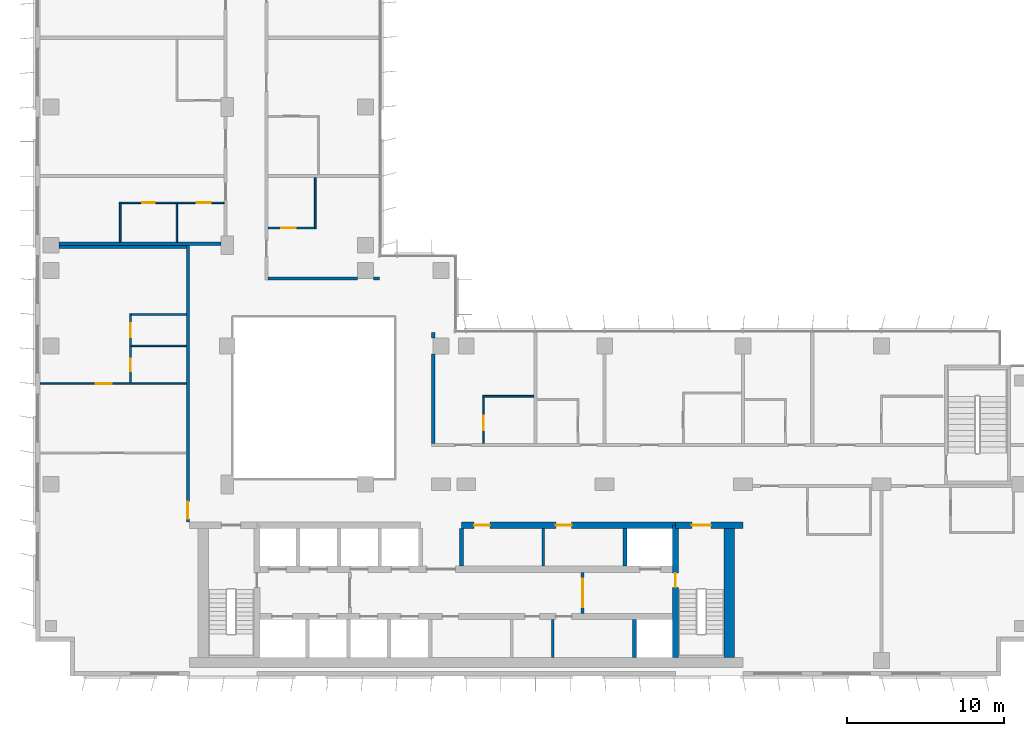
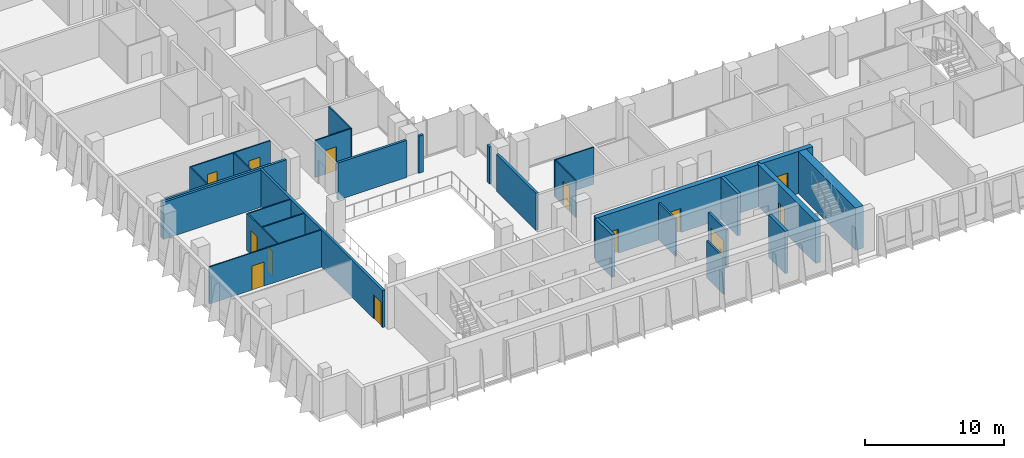
# One storey, part 13 of 20: 28 walls, 13 doors, 13 openings.
"""IFC4 building model written with IfcOpenShell, lengths in metres."""

from ifc_helpers import new_model, si_unit, direction, frame, frame_2d, origin, place, context, subcontext, project, spatial, rectangle, extrude, material, layer, layer_set, type_object, element, fill, save


model = new_model("IFC4")

# Units and contexts
model_context = context("Model", 3, precision=1e-05, world=origin(), true_north=direction((0.0, 1.0)))
body_context = subcontext(model_context, "Body", "Model", "MODEL_VIEW")
ifc_project = project(units=[si_unit("LENGTHUNIT", "METRE"), si_unit("AREAUNIT", "SQUARE_METRE"), si_unit("VOLUMEUNIT", "CUBIC_METRE"), si_unit("PLANEANGLEUNIT", "RADIAN"), si_unit("MASSUNIT", "GRAM", prefix="KILO")], contexts=[model_context])

# Site, building, storey
site_placement = place(None, origin())
site = spatial("IfcSite", under=ifc_project, at=site_placement, CompositionType="ELEMENT")
building_placement = place(site_placement, origin())
building = spatial("IfcBuilding", under=site, at=building_placement, Name="Kemantara Hotel Tower", CompositionType="ELEMENT")
storey_placement = place(building_placement, frame((0.0, 0.0, 190.10009765625)))
storey = spatial("IfcBuildingStorey", under=building, at=storey_placement, Name="L47", CompositionType="ELEMENT", Elevation=190.10009765625)

# Walls
ifc_material_1 = material(Name="Concrete fc 60 MPa", Category="concrete")
ifc_layer_1 = layer(ifc_material_1, 0.25)
ifc_layer_set_1 = layer_set([ifc_layer_1], Name="Concrete fc 60 MPa")
wall_type_1 = type_object("IfcWallType", Name="CORE WALL 250 FC60", PredefinedType="SHEAR", material=ifc_layer_set_1)
wall_1_placement = place(storey_placement, frame((38.10009765625, 1.199951171875, 0.0), z_axis=(0.0, 0.0, 1.0), x_axis=(0.0, 1.0, 0.0)))
element("IfcWall", 1, at=wall_1_placement, inside=storey, type_object=wall_type_1, Name="CORE WALL CW-DS38.1", PredefinedType="SHEAR", context=body_context, shape_type="SweptSolid", body=[
    extrude(rectangle(XDim=2.400146484375, YDim=0.25, at=frame_2d((1.2001953125, 0.0))), origin(), (0.0, 0.0, 1.0), 3.699951171875),
])
for number, where, z_axis, x_axis, name in (
    (2, (27.10009765625, 7.0, 0.0), (0.0, 0.0, 1.0), (0.0, 1.0, 0.0), "CORE WALL CW-DN27.1"),
    (3, (37.5, 7.0, 0.0), (0.0, 0.0, 1.0), (0.0, 1.0, 0.0), "CORE WALL CW-DN37.5"),
):
    element("IfcWall", number, at=place(storey_placement, frame(where, z_axis=z_axis, x_axis=x_axis)), inside=storey, type_object=wall_type_1, Name=name, PredefinedType="SHEAR", context=body_context, shape_type="SweptSolid", body=[
        extrude(rectangle(XDim=2.39990234375, YDim=0.25, at=frame_2d((1.199951171875, 0.0))), origin(), (0.0, 0.0, 1.0), 3.699951171875),
    ])

# Wall, opening, door
ifc_layer_2 = layer(ifc_material_1, 0.39990234375)
ifc_layer_set_2 = layer_set([ifc_layer_2], Name="Concrete fc 60 MPa")
wall_type_2 = type_object("IfcWallType", Name="CORE WALL 400 FC60", PredefinedType="SHEAR", material=ifc_layer_set_2)
wall_2_placement = place(storey_placement, frame((40.699951171875, 9.60009765625, 0.0), z_axis=(0.0, 0.0, 1.0), x_axis=(1.0, 0.0, 0.0)))
wall_2 = element("IfcWall", 4, at=wall_2_placement, inside=storey, type_object=wall_type_2, Name="CORE WALL CW-N2", PredefinedType="SHEAR", context=body_context, shape_type="SweptSolid", body=[
    extrude(rectangle(XDim=4.300048828125, YDim=0.39990234375, at=frame_2d((2.14990234375, 0.0))), origin(), (0.0, 0.0, 1.0), 3.699951171875),
])
opening_1_placement = place(wall_2_placement, frame((1.050048828125, 0.0, 0.0)))
opening_1 = element("IfcOpeningElement", 5, at=opening_1_placement, cuts=wall_2, Name="Opening C28-ST2-C", PredefinedType="OPENING", context=body_context, shape_type="SweptSolid", body=[
    extrude(rectangle(XDim=1.199951171875, YDim=2.10009765625, at=frame_2d((0.60009765625, 1.050048828125))), frame((0.0, 0.2099609375, 0.0), z_axis=(0.0, -1.0, 0.0), x_axis=(1.0, 0.0, 0.0)), (0.0, 0.0, 1.0), 0.419921875),
])
ifc_material_2 = material(Name="Steel fire door", Category="steel")
door_type_1 = type_object("IfcDoorType", Name="Fire door FD90 1200 x 2100", OperationType="NOTDEFINED", PredefinedType="DOOR", material=ifc_material_2)
door_1_placement = place(opening_1_placement, frame((1.199951171875, 0.0, 0.0), z_axis=(0.0, 0.0, 1.0), x_axis=(-1.0, 0.0, 0.0)))
door_1 = element("IfcDoor", 6, at=door_1_placement, inside=storey, type_object=door_type_1, Name="Stair ST2 door to corridor", OperationType="SINGLE_SWING_RIGHT", OverallHeight=2.10009765625, OverallWidth=1.199951171875, PredefinedType="DOOR", context=body_context, shape_type="SweptSolid", body=[
    extrude(rectangle(XDim=1.199951171875, YDim=2.10009765625, at=frame_2d((0.60009765625, 1.050048828125))), frame((0.0, 0.02490234375, 0.0), z_axis=(0.0, -1.0, 0.0), x_axis=(1.0, 0.0, 0.0)), (0.0, 0.0, 1.0), 0.050048828125),
])
fill(opening_1, door_1)

# Wall, openings, doors
wall_3_placement = place(storey_placement, frame((27.10009765625, 9.60009765625, 0.0), z_axis=(0.0, 0.0, 1.0), x_axis=(1.0, 0.0, 0.0)))
wall_3 = element("IfcWall", 7, at=wall_3_placement, inside=storey, type_object=wall_type_2, Name="CORE WALL CW-NN2", PredefinedType="SHEAR", context=body_context, shape_type="SweptSolid", body=[
    extrude(rectangle(XDim=13.599853515625, YDim=0.39990234375, at=frame_2d((6.7998046875, 0.0))), origin(), (0.0, 0.0, 1.0), 3.699951171875),
])
opening_2_placement = place(wall_3_placement, frame((0.800048828125, 0.0, 0.0)))
opening_2 = element("IfcOpeningElement", 8, at=opening_2_placement, cuts=wall_3, Name="Opening C28-R-NE1", PredefinedType="OPENING", context=body_context, shape_type="SweptSolid", body=[
    extrude(rectangle(XDim=1.0, YDim=2.10009765625, at=frame_2d((0.5, 1.050048828125))), frame((0.0, 0.2099609375, 0.0), z_axis=(0.0, -1.0, 0.0), x_axis=(1.0, 0.0, 0.0)), (0.0, 0.0, 1.0), 0.419921875),
])
opening_3_placement = place(wall_3_placement, frame((6.0, 0.0, 0.0)))
opening_3 = element("IfcOpeningElement", 9, at=opening_3_placement, cuts=wall_3, Name="Opening C28-R-NE2", PredefinedType="OPENING", context=body_context, shape_type="SweptSolid", body=[
    extrude(rectangle(XDim=1.0, YDim=2.10009765625, at=frame_2d((0.5, 1.050048828125))), frame((0.0, 0.2099609375, 0.0), z_axis=(0.0, -1.0, 0.0), x_axis=(1.0, 0.0, 0.0)), (0.0, 0.0, 1.0), 0.419921875),
])
door_type_2 = type_object("IfcDoorType", Name="Fire door FD30S 1000 x 2100", OperationType="NOTDEFINED", PredefinedType="DOOR", material=ifc_material_2)
door_2_placement = place(opening_2_placement, frame((1.0, 0.0, 0.0), z_axis=(0.0, 0.0, 1.0), x_axis=(-1.0, 0.0, 0.0)))
door_2 = element("IfcDoor", 10, at=door_2_placement, inside=storey, type_object=door_type_2, Name="Linen Store door", OperationType="SINGLE_SWING_RIGHT", OverallHeight=2.10009765625, OverallWidth=1.0, PredefinedType="DOOR", context=body_context, shape_type="SweptSolid", body=[
    extrude(rectangle(XDim=1.0, YDim=2.10009765625, at=frame_2d((0.5, 1.050048828125))), frame((0.0, 0.02490234375, 0.0), z_axis=(0.0, -1.0, 0.0), x_axis=(1.0, 0.0, 0.0)), (0.0, 0.0, 1.0), 0.050048828125),
])
fill(opening_2, door_2)
door_3_placement = place(opening_3_placement, frame((1.0, 0.0, 0.0), z_axis=(0.0, 0.0, 1.0), x_axis=(-1.0, 0.0, 0.0)))
door_3 = element("IfcDoor", 11, at=door_3_placement, inside=storey, type_object=door_type_2, Name="Ice And Vending Room door", OperationType="SINGLE_SWING_RIGHT", OverallHeight=2.10009765625, OverallWidth=1.0, PredefinedType="DOOR", context=body_context, shape_type="SweptSolid", body=[
    extrude(rectangle(XDim=1.0, YDim=2.10009765625, at=frame_2d((0.5, 1.050048828125))), frame((0.0, 0.02490234375, 0.0), z_axis=(0.0, -1.0, 0.0), x_axis=(1.0, 0.0, 0.0)), (0.0, 0.0, 1.0), 0.050048828125),
])
fill(opening_3, door_3)

# Wall, opening, door
wall_4_placement = place(storey_placement, frame((40.699951171875, 1.199951171875, 0.0), z_axis=(0.0, 0.0, 1.0), x_axis=(0.0, 1.0, 0.0)))
wall_4 = element("IfcWall", 12, at=wall_4_placement, inside=storey, type_object=wall_type_2, Name="CORE WALL CW-ST2W", PredefinedType="SHEAR", context=body_context, shape_type="SweptSolid", body=[
    extrude(rectangle(XDim=8.400146484375, YDim=0.39990234375, at=frame_2d((4.2001953125, 0.0))), origin(), (0.0, 0.0, 1.0), 3.699951171875),
])
opening_4_placement = place(wall_4_placement, frame((4.449951171875, 0.0, 0.0)))
opening_4 = element("IfcOpeningElement", 13, at=opening_4_placement, cuts=wall_4, Name="Opening C28-ST2-F", PredefinedType="OPENING", context=body_context, shape_type="SweptSolid", body=[
    extrude(rectangle(XDim=0.89990234375, YDim=2.10009765625, at=frame_2d((0.449951171875, 1.050048828125))), frame((0.0, 0.2099609375, 0.0), z_axis=(0.0, -1.0, 0.0), x_axis=(1.0, 0.0, 0.0)), (0.0, 0.0, 1.0), 0.419921875),
])
door_type_3 = type_object("IfcDoorType", Name="Fire door FD90 900 x 2100", OperationType="NOTDEFINED", PredefinedType="DOOR", material=ifc_material_2)
door_4_placement = place(opening_4_placement, frame((0.89990234375, 0.0, 0.0), z_axis=(0.0, 0.0, 1.0), x_axis=(-1.0, 0.0, 0.0)))
door_4 = element("IfcDoor", 14, at=door_4_placement, inside=storey, type_object=door_type_3, Name="Stair ST2 door to firefighting lobby", OperationType="SINGLE_SWING_LEFT", OverallHeight=2.10009765625, OverallWidth=0.89990234375, PredefinedType="DOOR", context=body_context, shape_type="SweptSolid", body=[
    extrude(rectangle(XDim=0.89990234375, YDim=2.10009765625, at=frame_2d((0.449951171875, 1.050048828125))), frame((0.0, 0.02490234375, 0.0), z_axis=(0.0, -1.0, 0.0), x_axis=(1.0, 0.0, 0.0)), (0.0, 0.0, 1.0), 0.050048828125),
])
fill(opening_4, door_4)

# Wall
ifc_layer_3 = layer(ifc_material_1, 0.64990234375)
ifc_layer_set_3 = layer_set([ifc_layer_3], Name="Concrete fc 60 MPa")
wall_type_3 = type_object("IfcWallType", Name="CORE WALL 650 FC60", PredefinedType="SHEAR", material=ifc_layer_set_3)
wall_5_placement = place(storey_placement, frame((44.125, 1.199951171875, 0.0), z_axis=(0.0, 0.0, 1.0), x_axis=(0.0, 1.0, 0.0)))
element("IfcWall", 15, at=wall_5_placement, inside=storey, type_object=wall_type_3, Name="CORE WALL CW-E", PredefinedType="SHEAR", context=body_context, shape_type="SweptSolid", body=[
    extrude(rectangle(XDim=8.60009765625, YDim=0.64990234375, at=frame_2d((4.300048828125, 0.0))), origin(), (0.0, 0.0, 1.0), 3.699951171875),
])

# Wall, opening, door
ifc_material_3 = material(Name="Gypsum board partition, steel studs and mineral wool, 200 mm", Category="steel")
ifc_layer_4 = layer(ifc_material_3, 0.199951171875)
ifc_layer_set_4 = layer_set([ifc_layer_4], Name="Gypsum board partition, steel studs and mineral wool, 200 mm")
wall_type_4 = type_object("IfcWallType", Name="CORRIDOR WALL 200", PredefinedType="PARTITIONING", material=ifc_layer_set_4)
wall_6_placement = place(storey_placement, frame((9.699951171875, 9.800048828125, 0.0), z_axis=(0.0, 0.0, 1.0), x_axis=(0.0, 1.0, 0.0)))
wall_6 = element("IfcWall", 16, at=wall_6_placement, inside=storey, type_object=wall_type_4, Name="CORRIDOR WALL 200 012", PredefinedType="PARTITIONING", context=body_context, shape_type="SweptSolid", body=[
    extrude(rectangle(XDim=17.599853515625, YDim=0.199951171875, at=frame_2d((8.7998046875, 0.0))), origin(), (0.0, 0.0, 1.0), 3.25),
])
opening_5_placement = place(wall_6_placement, frame((0.199951171875, 0.0, 0.0)))
opening_5 = element("IfcOpeningElement", 17, at=opening_5_placement, cuts=wall_6, Name="Opening F22-015", PredefinedType="OPENING", context=body_context, shape_type="SweptSolid", body=[
    extrude(rectangle(XDim=1.10009765625, YDim=2.10009765625, at=frame_2d((0.550048828125, 1.050048828125))), frame((0.0, 0.10986328125, 0.0), z_axis=(0.0, -1.0, 0.0), x_axis=(1.0, 0.0, 0.0)), (0.0, 0.0, 1.0), 0.219970703125),
])
ifc_material_4 = material(Name="Hardwood veneer door leaf with steel frame", Category="steel")
door_type_4 = type_object("IfcDoorType", Name="SUITE ENTRANCE DOOR 1100 X 2100 FD30S", OperationType="NOTDEFINED", PredefinedType="DOOR", material=ifc_material_4)
door_5_placement = place(opening_5_placement, origin())
door_5 = element("IfcDoor", 18, at=door_5_placement, inside=storey, type_object=door_type_4, Name="SUITE ENTRANCE DOOR F22-015", OperationType="SINGLE_SWING_LEFT", OverallHeight=2.10009765625, OverallWidth=1.10009765625, PredefinedType="DOOR", context=body_context, shape_type="SweptSolid", body=[
    extrude(rectangle(XDim=1.10009765625, YDim=2.10009765625, at=frame_2d((0.550048828125, 1.050048828125))), frame((0.0, 0.02490234375, 0.0), z_axis=(0.0, -1.0, 0.0), x_axis=(1.0, 0.0, 0.0)), (0.0, 0.0, 1.0), 0.050048828125),
])
fill(opening_5, door_5)

# Walls
ifc_layer_5 = layer(ifc_material_3, 0.199951171875)
ifc_layer_set_5 = layer_set([ifc_layer_5], Name="Gypsum board partition, steel studs and mineral wool, 200 mm")
wall_type_5 = type_object("IfcWallType", Name="GUEST ROOM PARTY WALL 200", PredefinedType="PARTITIONING", material=ifc_layer_set_5)
wall_7_placement = place(storey_placement, frame((25.300048828125, 14.800048828125, 0.0), z_axis=(0.0, 0.0, 1.0), x_axis=(0.0, 1.0, 0.0)))
element("IfcWall", 19, at=wall_7_placement, inside=storey, type_object=wall_type_5, Name="GUEST ROOM PARTY WALL 200 006", PredefinedType="PARTITIONING", context=body_context, shape_type="SweptSolid", body=[
    extrude(rectangle(XDim=5.699951171875, YDim=0.199951171875, at=frame_2d((2.85009765625, 0.0))), origin(), (0.0, 0.0, 1.0), 3.25),
])
wall_8_placement = place(storey_placement, frame((25.300048828125, 21.5, 0.0), z_axis=(0.0, 0.0, 1.0), x_axis=(0.0, 1.0, 0.0)))
element("IfcWall", 20, at=wall_8_placement, inside=storey, type_object=wall_type_5, Name="GUEST ROOM PARTY WALL 200 007", PredefinedType="PARTITIONING", context=body_context, shape_type="SweptSolid", body=[
    extrude(rectangle(XDim=0.3701171875, YDim=0.199951171875, at=frame_2d((0.18505859375, 0.0))), origin(), (0.0, 0.0, 1.0), 3.25),
])
wall_9_placement = place(storey_placement, frame((1.5, 27.300048828125, 0.0), z_axis=(0.0, 0.0, 1.0), x_axis=(1.0, 0.0, 0.0)))
element("IfcWall", 21, at=wall_9_placement, inside=storey, type_object=wall_type_5, Name="GUEST ROOM PARTY WALL 200 013", PredefinedType="PARTITIONING", context=body_context, shape_type="SweptSolid", body=[
    extrude(rectangle(XDim=8.10009765625, YDim=0.199951171875, at=frame_2d((4.050048828125, 0.0))), origin(), (0.0, 0.0, 1.0), 3.25),
])
wall_10_placement = place(storey_placement, frame((1.5, 27.5, 0.0), z_axis=(0.0, 0.0, 1.0), x_axis=(1.0, 0.0, 0.0)))
element("IfcWall", 22, at=wall_10_placement, inside=storey, type_object=wall_type_5, Name="GUEST ROOM PARTY WALL 200 018", PredefinedType="PARTITIONING", context=body_context, shape_type="SweptSolid", body=[
    extrude(rectangle(XDim=10.2998046875, YDim=0.199951171875, at=frame_2d((5.14990234375, 0.0))), origin(), (0.0, 0.0, 1.0), 3.25),
])
wall_11_placement = place(storey_placement, frame((14.800048828125, 25.300048828125, 0.0), z_axis=(0.0, 0.0, 1.0), x_axis=(1.0, 0.0, 0.0)))
element("IfcWall", 23, at=wall_11_placement, inside=storey, type_object=wall_type_5, Name="GUEST ROOM PARTY WALL 200 026", PredefinedType="PARTITIONING", context=body_context, shape_type="SweptSolid", body=[
    extrude(rectangle(XDim=5.699951171875, YDim=0.199951171875, at=frame_2d((2.85009765625, 0.0))), origin(), (0.0, 0.0, 1.0), 3.25),
])
wall_12_placement = place(storey_placement, frame((21.5, 25.300048828125, 0.0), z_axis=(0.0, 0.0, 1.0), x_axis=(1.0, 0.0, 0.0)))
element("IfcWall", 24, at=wall_12_placement, inside=storey, type_object=wall_type_5, Name="GUEST ROOM PARTY WALL 200 027", PredefinedType="PARTITIONING", context=body_context, shape_type="SweptSolid", body=[
    extrude(rectangle(XDim=0.3701171875, YDim=0.199951171875, at=frame_2d((0.18505859375, 0.0))), origin(), (0.0, 0.0, 1.0), 3.25),
])
ifc_material_5 = material(Name="Gypsum board partition")
ifc_layer_6 = layer(ifc_material_5, 0.14990234375)
ifc_layer_set_6 = layer_set([ifc_layer_6], Name="Gypsum board partition")
wall_type_6 = type_object("IfcWallType", Name="Gypsum board partition 150 mm", PredefinedType="PARTITIONING", material=ifc_layer_set_6)
wall_13_placement = place(storey_placement, frame((32.300048828125, 7.0, 0.0), z_axis=(0.0, 0.0, 1.0), x_axis=(0.0, 1.0, 0.0)))
element("IfcWall", 25, at=wall_13_placement, inside=storey, type_object=wall_type_6, Name="Core room partition", PredefinedType="PARTITIONING", context=body_context, shape_type="SweptSolid", body=[
    extrude(rectangle(XDim=2.39990234375, YDim=0.14990234375, at=frame_2d((1.199951171875, 0.0))), origin(), (0.0, 0.0, 1.0), 3.25),
])
wall_14_placement = place(storey_placement, frame((32.89990234375, 1.199951171875, 0.0), z_axis=(0.0, 0.0, 1.0), x_axis=(0.0, 1.0, 0.0)))
element("IfcWall", 26, at=wall_14_placement, inside=storey, type_object=wall_type_6, Name="Core room partition", PredefinedType="PARTITIONING", context=body_context, shape_type="SweptSolid", body=[
    extrude(rectangle(XDim=2.400146484375, YDim=0.14990234375, at=frame_2d((1.2001953125, 0.0))), origin(), (0.0, 0.0, 1.0), 3.25),
])

# Wall, opening, door
ifc_material_6 = material(Name="Gypsum board shaft wall")
ifc_layer_7 = layer(ifc_material_6, 0.199951171875)
ifc_layer_set_7 = layer_set([ifc_layer_7], Name="Gypsum board shaft wall")
wall_type_7 = type_object("IfcWallType", Name="Gypsum board shaft wall 200 mm", PredefinedType="PARTITIONING", material=ifc_layer_set_7)
wall_15_placement = place(storey_placement, frame((34.800048828125, 4.0, 0.0), z_axis=(0.0, 0.0, 1.0), x_axis=(0.0, 1.0, 0.0)))
wall_15 = element("IfcWall", 27, at=wall_15_placement, inside=storey, type_object=wall_type_7, Name="Firefighting lobby partition east", PredefinedType="PARTITIONING", context=body_context, shape_type="SweptSolid", body=[
    extrude(rectangle(XDim=2.60009765625, YDim=0.199951171875, at=frame_2d((1.300048828125, 0.0))), origin(), (0.0, 0.0, 1.0), 3.25),
])
opening_6_placement = place(wall_15_placement, frame((0.39990234375, 0.0, 0.0)))
opening_6 = element("IfcOpeningElement", 28, at=opening_6_placement, cuts=wall_15, Name="Opening C28-FFE", PredefinedType="OPENING", context=body_context, shape_type="SweptSolid", body=[
    extrude(rectangle(XDim=1.800048828125, YDim=2.10009765625, at=frame_2d((0.89990234375, 1.050048828125))), frame((0.0, 0.10986328125, 0.0), z_axis=(0.0, -1.0, 0.0), x_axis=(1.0, 0.0, 0.0)), (0.0, 0.0, 1.0), 0.219970703125),
])
door_type_5 = type_object("IfcDoorType", Name="Fire door pair FD60 1800 x 2100", OperationType="DOUBLE_DOOR_SINGLE_SWING", PredefinedType="DOOR", material=ifc_material_2)
door_6_placement = place(opening_6_placement, frame((1.800048828125, 0.0, 0.0), z_axis=(0.0, 0.0, 1.0), x_axis=(-1.0, 0.0, 0.0)))
door_6 = element("IfcDoor", 29, at=door_6_placement, inside=storey, type_object=door_type_5, Name="Firefighting lobby door east", OperationType="DOUBLE_DOOR_SINGLE_SWING", OverallHeight=2.10009765625, OverallWidth=1.800048828125, PredefinedType="DOOR", context=body_context, shape_type="SweptSolid", body=[
    extrude(rectangle(XDim=1.800048828125, YDim=2.10009765625, at=frame_2d((0.89990234375, 1.050048828125))), frame((0.0, 0.02490234375, 0.0), z_axis=(0.0, -1.0, 0.0), x_axis=(1.0, 0.0, 0.0)), (0.0, 0.0, 1.0), 0.050048828125),
])
fill(opening_6, door_6)

# Wall
ifc_material_7 = material(Name="Gypsum board partition on steel studs, 100 mm", Category="steel")
ifc_layer_8 = layer(ifc_material_7, 0.10009765625)
ifc_layer_set_8 = layer_set([ifc_layer_8], Name="Gypsum board partition on steel studs, 100 mm")
wall_type_8 = type_object("IfcWallType", Name="ROOM PARTITION 100", PredefinedType="PARTITIONING", material=ifc_layer_set_8)
wall_16_placement = place(storey_placement, frame((28.449951171875, 17.800048828125, 0.0), z_axis=(0.0, 0.0, 1.0), x_axis=(1.0, 0.0, 0.0)))
element("IfcWall", 30, at=wall_16_placement, inside=storey, type_object=wall_type_8, Name="ROOM PARTITION 100 035", PredefinedType="PARTITIONING", context=body_context, shape_type="SweptSolid", body=[
    extrude(rectangle(XDim=3.25, YDim=0.10009765625, at=frame_2d((1.625, 0.0))), origin(), (0.0, 0.0, 1.0), 3.25),
])

# Wall, opening, door
wall_17_placement = place(storey_placement, frame((28.5, 17.75, 0.0), z_axis=(0.0, 0.0, 1.0), x_axis=(0.0, -1.0, 0.0)))
wall_17 = element("IfcWall", 31, at=wall_17_placement, inside=storey, type_object=wall_type_8, Name="ROOM PARTITION 100 037", PredefinedType="PARTITIONING", context=body_context, shape_type="SweptSolid", body=[
    extrude(rectangle(XDim=2.949951171875, YDim=0.10009765625, at=frame_2d((1.47509765625, 0.0))), origin(), (0.0, 0.0, 1.0), 3.25),
])
opening_7_placement = place(wall_17_placement, frame((1.199951171875, 0.0, 0.0)))
opening_7 = element("IfcOpeningElement", 32, at=opening_7_placement, cuts=wall_17, Name="Opening F22-006", PredefinedType="OPENING", context=body_context, shape_type="SweptSolid", body=[
    extrude(rectangle(XDim=0.89990234375, YDim=2.10009765625, at=frame_2d((0.449951171875, 1.050048828125))), frame((0.0, 0.06005859375, 0.0), z_axis=(0.0, -1.0, 0.0), x_axis=(1.0, 0.0, 0.0)), (0.0, 0.0, 1.0), 0.1201171875),
])
door_type_6 = type_object("IfcDoorType", Name="BATHROOM DOOR 900 X 2100", OperationType="NOTDEFINED", PredefinedType="DOOR", material=ifc_material_4)
door_7_placement = place(opening_7_placement, origin())
door_7 = element("IfcDoor", 33, at=door_7_placement, inside=storey, type_object=door_type_6, Name="BATHROOM DOOR F22-006", OperationType="SINGLE_SWING_RIGHT", OverallHeight=2.10009765625, OverallWidth=0.89990234375, PredefinedType="DOOR", context=body_context, shape_type="SweptSolid", body=[
    extrude(rectangle(XDim=0.89990234375, YDim=2.10009765625, at=frame_2d((0.449951171875, 1.050048828125))), frame((0.0, 0.02490234375, 0.0), z_axis=(0.0, -1.0, 0.0), x_axis=(1.0, 0.0, 0.0)), (0.0, 0.0, 1.0), 0.050048828125),
])
fill(opening_7, door_7)

# Wall, openings, doors
wall_18_placement = place(storey_placement, frame((6.050048828125, 23.050048828125, 0.0), z_axis=(0.0, 0.0, 1.0), x_axis=(0.0, -1.0, 0.0)))
wall_18 = element("IfcWall", 34, at=wall_18_placement, inside=storey, type_object=wall_type_8, Name="ROOM PARTITION 100 045", PredefinedType="PARTITIONING", context=body_context, shape_type="SweptSolid", body=[
    extrude(rectangle(XDim=4.400146484375, YDim=0.10009765625, at=frame_2d((2.2001953125, 0.0))), origin(), (0.0, 0.0, 1.0), 3.25),
])
opening_8_placement = place(wall_18_placement, frame((0.60009765625, 0.0, 0.0)))
opening_8 = element("IfcOpeningElement", 35, at=opening_8_placement, cuts=wall_18, Name="Opening F22-018", PredefinedType="OPENING", context=body_context, shape_type="SweptSolid", body=[
    extrude(rectangle(XDim=0.89990234375, YDim=2.10009765625, at=frame_2d((0.449951171875, 1.050048828125))), frame((0.0, 0.06005859375, 0.0), z_axis=(0.0, -1.0, 0.0), x_axis=(1.0, 0.0, 0.0)), (0.0, 0.0, 1.0), 0.1201171875),
])
opening_9_placement = place(wall_18_placement, frame((2.85009765625, 0.0, 0.0)))
opening_9 = element("IfcOpeningElement", 36, at=opening_9_placement, cuts=wall_18, Name="Opening F22-019", PredefinedType="OPENING", context=body_context, shape_type="SweptSolid", body=[
    extrude(rectangle(XDim=0.800048828125, YDim=2.10009765625, at=frame_2d((0.39990234375, 1.050048828125))), frame((0.0, 0.06005859375, 0.0), z_axis=(0.0, -1.0, 0.0), x_axis=(1.0, 0.0, 0.0)), (0.0, 0.0, 1.0), 0.1201171875),
])
door_8_placement = place(opening_8_placement, origin())
door_8 = element("IfcDoor", 37, at=door_8_placement, inside=storey, type_object=door_type_6, Name="BATHROOM DOOR F22-018", OperationType="SINGLE_SWING_RIGHT", OverallHeight=2.10009765625, OverallWidth=0.89990234375, PredefinedType="DOOR", context=body_context, shape_type="SweptSolid", body=[
    extrude(rectangle(XDim=0.89990234375, YDim=2.10009765625, at=frame_2d((0.449951171875, 1.050048828125))), frame((0.0, 0.02490234375, 0.0), z_axis=(0.0, -1.0, 0.0), x_axis=(1.0, 0.0, 0.0)), (0.0, 0.0, 1.0), 0.050048828125),
])
fill(opening_8, door_8)
door_type_7 = type_object("IfcDoorType", Name="WARDROBE DOOR 800 X 2100", OperationType="NOTDEFINED", PredefinedType="DOOR", material=ifc_material_4)
door_9_placement = place(opening_9_placement, origin())
door_9 = element("IfcDoor", 38, at=door_9_placement, inside=storey, type_object=door_type_7, Name="WARDROBE DOOR F22-019", OperationType="SINGLE_SWING_RIGHT", OverallHeight=2.10009765625, OverallWidth=0.800048828125, PredefinedType="DOOR", context=body_context, shape_type="SweptSolid", body=[
    extrude(rectangle(XDim=0.800048828125, YDim=2.10009765625, at=frame_2d((0.39990234375, 1.050048828125))), frame((0.0, 0.02490234375, 0.0), z_axis=(0.0, -1.0, 0.0), x_axis=(1.0, 0.0, 0.0)), (0.0, 0.0, 1.0), 0.050048828125),
])
fill(opening_9, door_9)

# Wall, opening, door
wall_19_placement = place(storey_placement, frame((0.31005859375, 18.60009765625, 0.0), z_axis=(0.0, 0.0, 1.0), x_axis=(1.0, 0.0, 0.0)))
wall_19 = element("IfcWall", 39, at=wall_19_placement, inside=storey, type_object=wall_type_8, Name="ROOM PARTITION 100 047", PredefinedType="PARTITIONING", context=body_context, shape_type="SweptSolid", body=[
    extrude(rectangle(XDim=9.2900390625, YDim=0.10009765625, at=frame_2d((4.64501953125, 0.0))), origin(), (0.0, 0.0, 1.0), 3.25),
])
opening_10_placement = place(wall_19_placement, frame((3.5400390625, 0.0, 0.0)))
opening_10 = element("IfcOpeningElement", 40, at=opening_10_placement, cuts=wall_19, Name="Opening F22-017", PredefinedType="OPENING", context=body_context, shape_type="SweptSolid", body=[
    extrude(rectangle(XDim=1.0, YDim=2.10009765625, at=frame_2d((0.5, 1.050048828125))), frame((0.0, 0.06005859375, 0.0), z_axis=(0.0, -1.0, 0.0), x_axis=(1.0, 0.0, 0.0)), (0.0, 0.0, 1.0), 0.1201171875),
])
door_type_8 = type_object("IfcDoorType", Name="INTERNAL DOOR 1000 X 2100", OperationType="NOTDEFINED", PredefinedType="DOOR", material=ifc_material_4)
door_10_placement = place(opening_10_placement, origin())
door_10 = element("IfcDoor", 41, at=door_10_placement, inside=storey, type_object=door_type_8, Name="INTERNAL DOOR F22-017", OperationType="SINGLE_SWING_RIGHT", OverallHeight=2.10009765625, OverallWidth=1.0, PredefinedType="DOOR", context=body_context, shape_type="SweptSolid", body=[
    extrude(rectangle(XDim=1.0, YDim=2.10009765625, at=frame_2d((0.5, 1.050048828125))), frame((0.0, 0.02490234375, 0.0), z_axis=(0.0, -1.0, 0.0), x_axis=(1.0, 0.0, 0.0)), (0.0, 0.0, 1.0), 0.050048828125),
])
fill(opening_10, door_10)

# Walls
for number, where, z_axis, x_axis, name in (
    (42, (6.10009765625, 23.0, 0.0), (0.0, 0.0, 1.0), (1.0, 0.0, 0.0), "ROOM PARTITION 100 048"),
    (43, (6.10009765625, 21.0, 0.0), (0.0, 0.0, 1.0), (1.0, 0.0, 0.0), "ROOM PARTITION 100 049"),
):
    element("IfcWall", number, at=place(storey_placement, frame(where, z_axis=z_axis, x_axis=x_axis)), inside=storey, type_object=wall_type_8, Name=name, PredefinedType="PARTITIONING", context=body_context, shape_type="SweptSolid", body=[
        extrude(rectangle(XDim=3.5, YDim=0.10009765625, at=frame_2d((1.75, 0.0))), origin(), (0.0, 0.0, 1.0), 3.25),
    ])
wall_20_placement = place(storey_placement, frame((5.39990234375, 27.60009765625, 0.0), z_axis=(0.0, 0.0, 1.0), x_axis=(0.0, 1.0, 0.0)))
element("IfcWall", 44, at=wall_20_placement, inside=storey, type_object=wall_type_8, Name="ROOM PARTITION 100 050", PredefinedType="PARTITIONING", context=body_context, shape_type="SweptSolid", body=[
    extrude(rectangle(XDim=2.5498046875, YDim=0.10009765625, at=frame_2d((1.27490234375, 0.0))), origin(), (0.0, 0.0, 1.0), 3.25),
])
wall_21_placement = place(storey_placement, frame((9.0, 27.60009765625, 0.0), z_axis=(0.0, 0.0, 1.0), x_axis=(0.0, 1.0, 0.0)))
element("IfcWall", 45, at=wall_21_placement, inside=storey, type_object=wall_type_8, Name="ROOM PARTITION 100 051", PredefinedType="PARTITIONING", context=body_context, shape_type="SweptSolid", body=[
    extrude(rectangle(XDim=2.449951171875, YDim=0.10009765625, at=frame_2d((1.22509765625, 0.0))), origin(), (0.0, 0.0, 1.0), 3.25),
])

# Wall, openings, doors
wall_22_placement = place(storey_placement, frame((12.0, 30.10009765625, 0.0), z_axis=(0.0, 0.0, 1.0), x_axis=(-1.0, 0.0, 0.0)))
wall_22 = element("IfcWall", 46, at=wall_22_placement, inside=storey, type_object=wall_type_8, Name="ROOM PARTITION 100 055", PredefinedType="PARTITIONING", context=body_context, shape_type="SweptSolid", body=[
    extrude(rectangle(XDim=6.550048828125, YDim=0.10009765625, at=frame_2d((3.27490234375, 0.0))), origin(), (0.0, 0.0, 1.0), 3.25),
])
opening_11_placement = place(wall_22_placement, frame((0.85009765625, 0.0, 0.0)))
opening_11 = element("IfcOpeningElement", 47, at=opening_11_placement, cuts=wall_22, Name="Opening F22-021", PredefinedType="OPENING", context=body_context, shape_type="SweptSolid", body=[
    extrude(rectangle(XDim=0.89990234375, YDim=2.10009765625, at=frame_2d((0.449951171875, 1.050048828125))), frame((0.0, 0.06005859375, 0.0), z_axis=(0.0, -1.0, 0.0), x_axis=(1.0, 0.0, 0.0)), (0.0, 0.0, 1.0), 0.1201171875),
])
opening_12_placement = place(wall_22_placement, frame((4.39990234375, 0.0, 0.0)))
opening_12 = element("IfcOpeningElement", 48, at=opening_12_placement, cuts=wall_22, Name="Opening F22-022", PredefinedType="OPENING", context=body_context, shape_type="SweptSolid", body=[
    extrude(rectangle(XDim=0.800048828125, YDim=2.10009765625, at=frame_2d((0.39990234375, 1.050048828125))), frame((0.0, 0.06005859375, 0.0), z_axis=(0.0, -1.0, 0.0), x_axis=(1.0, 0.0, 0.0)), (0.0, 0.0, 1.0), 0.1201171875),
])
door_11_placement = place(opening_11_placement, origin())
door_11 = element("IfcDoor", 49, at=door_11_placement, inside=storey, type_object=door_type_6, Name="BATHROOM DOOR F22-021", OperationType="SINGLE_SWING_LEFT", OverallHeight=2.10009765625, OverallWidth=0.89990234375, PredefinedType="DOOR", context=body_context, shape_type="SweptSolid", body=[
    extrude(rectangle(XDim=0.89990234375, YDim=2.10009765625, at=frame_2d((0.449951171875, 1.050048828125))), frame((0.0, 0.02490234375, 0.0), z_axis=(0.0, -1.0, 0.0), x_axis=(1.0, 0.0, 0.0)), (0.0, 0.0, 1.0), 0.050048828125),
])
fill(opening_11, door_11)
door_type_9 = type_object("IfcDoorType", Name="INTERNAL DOOR 800 X 2100", OperationType="NOTDEFINED", PredefinedType="DOOR", material=ifc_material_4)
door_12_placement = place(opening_12_placement, origin())
door_12 = element("IfcDoor", 50, at=door_12_placement, inside=storey, type_object=door_type_9, Name="INTERNAL DOOR F22-022", OperationType="SINGLE_SWING_LEFT", OverallHeight=2.10009765625, OverallWidth=0.800048828125, PredefinedType="DOOR", context=body_context, shape_type="SweptSolid", body=[
    extrude(rectangle(XDim=0.800048828125, YDim=2.10009765625, at=frame_2d((0.39990234375, 1.050048828125))), frame((0.0, 0.02490234375, 0.0), z_axis=(0.0, -1.0, 0.0), x_axis=(1.0, 0.0, 0.0)), (0.0, 0.0, 1.0), 0.050048828125),
])
fill(opening_12, door_12)

# Wall
wall_23_placement = place(storey_placement, frame((17.800048828125, 28.449951171875, 0.0), z_axis=(0.0, 0.0, 1.0), x_axis=(0.0, 1.0, 0.0)))
element("IfcWall", 51, at=wall_23_placement, inside=storey, type_object=wall_type_8, Name="ROOM PARTITION 100 059", PredefinedType="PARTITIONING", context=body_context, shape_type="SweptSolid", body=[
    extrude(rectangle(XDim=3.25, YDim=0.10009765625, at=frame_2d((1.625, 0.0))), origin(), (0.0, 0.0, 1.0), 3.25),
])

# Wall, opening, door
wall_24_placement = place(storey_placement, frame((14.800048828125, 28.5, 0.0), z_axis=(0.0, 0.0, 1.0), x_axis=(1.0, 0.0, 0.0)))
wall_24 = element("IfcWall", 52, at=wall_24_placement, inside=storey, type_object=wall_type_8, Name="ROOM PARTITION 100 060", PredefinedType="PARTITIONING", context=body_context, shape_type="SweptSolid", body=[
    extrude(rectangle(XDim=2.949951171875, YDim=0.10009765625, at=frame_2d((1.47509765625, 0.0))), origin(), (0.0, 0.0, 1.0), 3.25),
])
opening_13_placement = place(wall_24_placement, frame((0.85009765625, 0.0, 0.0)))
opening_13 = element("IfcOpeningElement", 53, at=opening_13_placement, cuts=wall_24, Name="Opening F22-030", PredefinedType="OPENING", context=body_context, shape_type="SweptSolid", body=[
    extrude(rectangle(XDim=0.89990234375, YDim=2.10009765625, at=frame_2d((0.449951171875, 1.050048828125))), frame((0.0, 0.06005859375, 0.0), z_axis=(0.0, -1.0, 0.0), x_axis=(1.0, 0.0, 0.0)), (0.0, 0.0, 1.0), 0.1201171875),
])
door_13_placement = place(opening_13_placement, origin())
door_13 = element("IfcDoor", 54, at=door_13_placement, inside=storey, type_object=door_type_6, Name="BATHROOM DOOR F22-030", OperationType="SINGLE_SWING_LEFT", OverallHeight=2.10009765625, OverallWidth=0.89990234375, PredefinedType="DOOR", context=body_context, shape_type="SweptSolid", body=[
    extrude(rectangle(XDim=0.89990234375, YDim=2.10009765625, at=frame_2d((0.449951171875, 1.050048828125))), frame((0.0, 0.02490234375, 0.0), z_axis=(0.0, -1.0, 0.0), x_axis=(1.0, 0.0, 0.0)), (0.0, 0.0, 1.0), 0.050048828125),
])
fill(opening_13, door_13)

save(model, "model.ifc")
